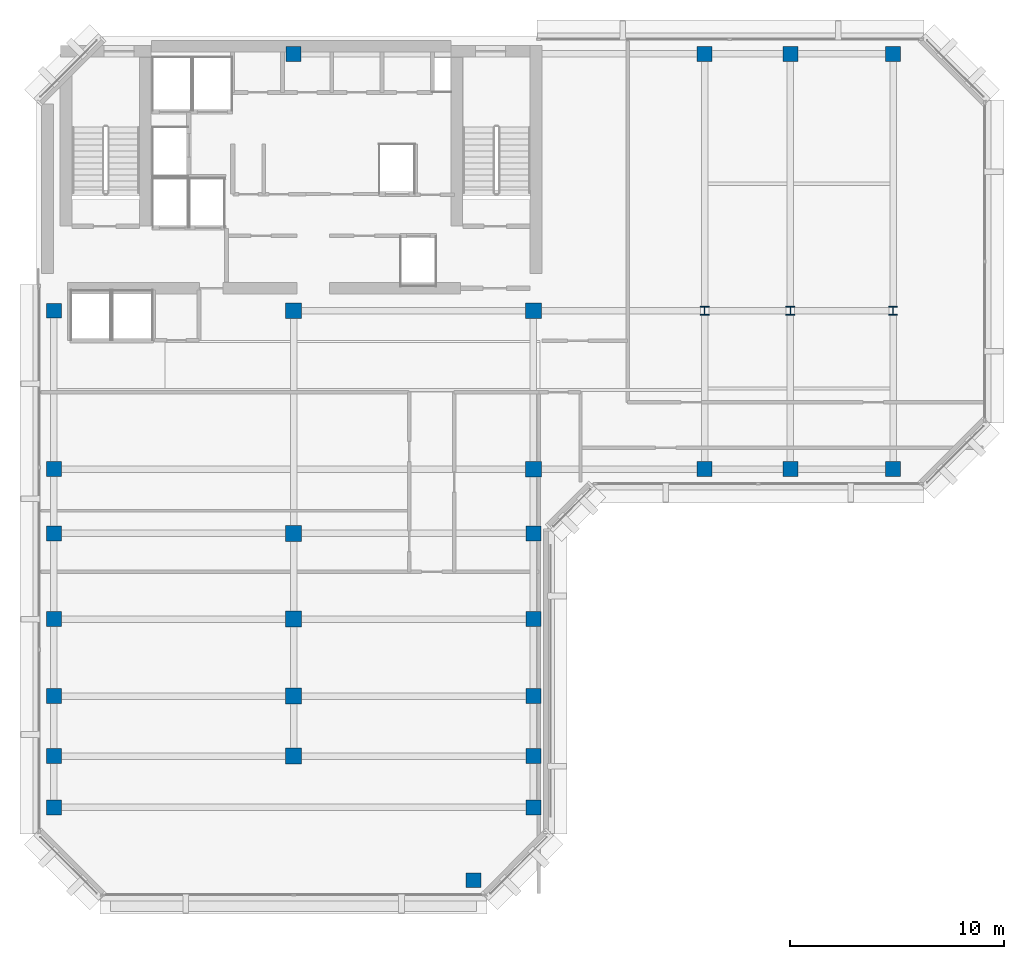
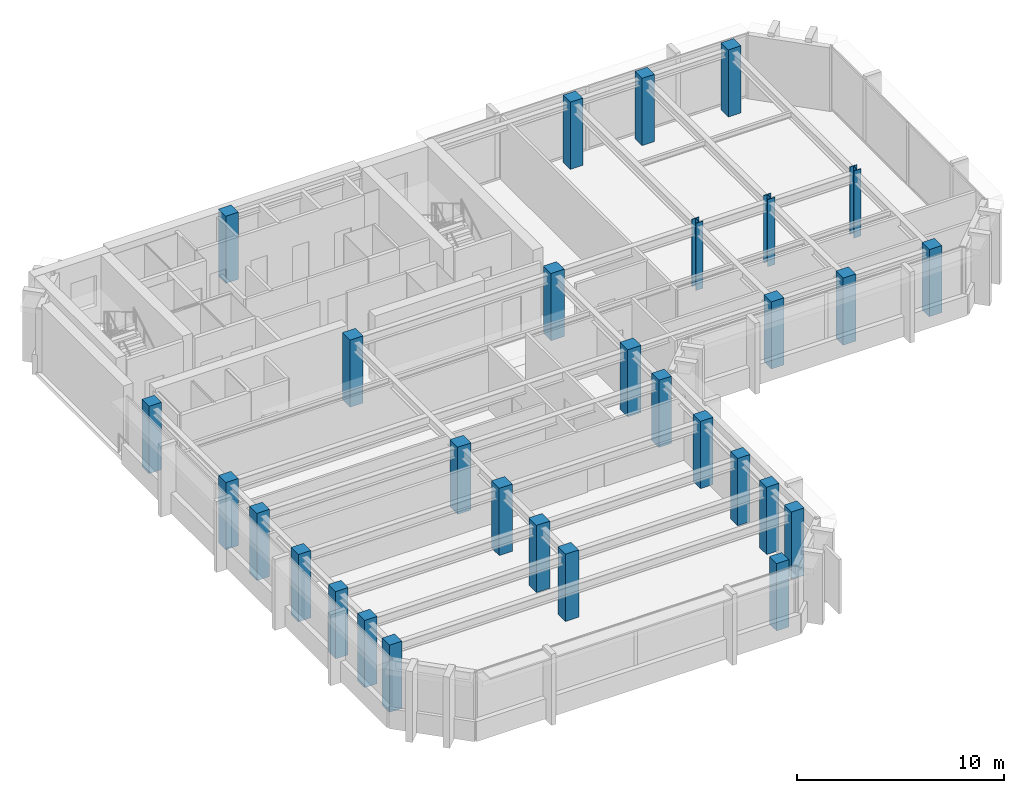
# One storey, part 1 of 11: 30 columns.
"""IFC4 building model written with IfcOpenShell, lengths in metres."""

from ifc_helpers import new_model, si_unit, direction, frame, origin, origin_2d, place, context, subcontext, project, spatial, rectangle, i_section, extrude, material, material_profile, profile_set, type_object, element, save


model = new_model("IFC4")

# Units and contexts
model_context = context("Model", 3, precision=1e-05, world=origin(), true_north=direction((0.0, 1.0)))
body_context = subcontext(model_context, "Body", "Model", "MODEL_VIEW")
ifc_project = project(units=[si_unit("LENGTHUNIT", "METRE"), si_unit("AREAUNIT", "SQUARE_METRE"), si_unit("VOLUMEUNIT", "CUBIC_METRE"), si_unit("PLANEANGLEUNIT", "RADIAN"), si_unit("MASSUNIT", "GRAM", prefix="KILO")], contexts=[model_context])

# Site, building, storey
site_placement = place(None, origin())
site = spatial("IfcSite", under=ifc_project, at=site_placement, CompositionType="ELEMENT")
building_placement = place(site_placement, origin())
building = spatial("IfcBuilding", under=site, at=building_placement, Name="Kefirva Bronze Tower", CompositionType="ELEMENT")
storey_placement = place(building_placement, frame((0.0, 0.0, 319.77001953125)))
storey = spatial("IfcBuildingStorey", under=building, at=storey_placement, Name="L78", CompositionType="ELEMENT", Elevation=319.77001953125)

# Columns
ifc_material_1 = material(Name="Concrete C50/60", Category="concrete")
ifc_material_profile_1 = material_profile(ifc_material_1, rectangle(XDim=0.699951171875, YDim=0.699951171875, at=origin_2d()), Name="RC 700x700")
ifc_profile_set_1 = profile_set([ifc_material_profile_1], Name="Concrete C50/60")
column_type_1 = type_object("IfcColumnType", Name="RC Column 700x700 Ext", PredefinedType="COLUMN", material=ifc_profile_set_1)
for number, where, z_axis, x_axis, name in (
    (1, (0.800048828125, 10.0, 0.0), (0.0, 0.0, 1.0), (1.0, 0.0, 0.0), "L78 Column C008_100"),
    (2, (0.800048828125, 12.39990234375, 0.0), (0.0, 0.0, 1.0), (1.0, 0.0, 0.0), "L78 Column C008_124"),
    (3, (0.800048828125, 15.199951171875, 0.0), (0.0, 0.0, 1.0), (1.0, 0.0, 0.0), "L78 Column C008_152"),
    (4, (0.800048828125, 18.800048828125, 0.0), (0.0, 0.0, 1.0), (1.0, 0.0, 0.0), "L78 Column C008_188"),
    (5, (0.800048828125, 22.800048828125, 0.0), (0.0, 0.0, 1.0), (1.0, 0.0, 0.0), "L78 Column C008_228"),
    (6, (0.800048828125, 25.800048828125, 0.0), (0.0, 0.0, 1.0), (1.0, 0.0, 0.0), "L78 Column C008_258"),
    (7, (0.800048828125, 33.199951171875, 0.0), (0.0, 0.0, 1.0), (1.0, 0.0, 0.0), "L78 Column C008_332"),
    (8, (12.0, 45.199951171875, 0.0), (0.0, 0.0, 1.0), (1.0, 0.0, 0.0), "L78 Column C120_452"),
    (9, (20.39990234375, 6.60009765625, 0.0), (0.0, 0.0, 1.0), (1.0, 0.0, 0.0), "L78 Column C204_066"),
    (10, (23.199951171875, 10.0, 0.0), (0.0, 0.0, 1.0), (1.0, 0.0, 0.0), "L78 Column C232_100"),
    (11, (23.199951171875, 12.39990234375, 0.0), (0.0, 0.0, 1.0), (1.0, 0.0, 0.0), "L78 Column C232_124"),
    (12, (23.199951171875, 15.199951171875, 0.0), (0.0, 0.0, 1.0), (1.0, 0.0, 0.0), "L78 Column C232_152"),
    (13, (23.199951171875, 18.800048828125, 0.0), (0.0, 0.0, 1.0), (1.0, 0.0, 0.0), "L78 Column C232_188"),
    (14, (23.199951171875, 22.800048828125, 0.0), (0.0, 0.0, 1.0), (1.0, 0.0, 0.0), "L78 Column C232_228"),
    (15, (31.199951171875, 25.800048828125, 0.0), (0.0, 0.0, 1.0), (1.0, 0.0, 0.0), "L78 Column C312_258"),
    (16, (31.199951171875, 45.199951171875, 0.0), (0.0, 0.0, 1.0), (1.0, 0.0, 0.0), "L78 Column C312_452"),
    (17, (35.199951171875, 25.800048828125, 0.0), (0.0, 0.0, 1.0), (1.0, 0.0, 0.0), "L78 Column C352_258"),
    (18, (35.199951171875, 45.199951171875, 0.0), (0.0, 0.0, 1.0), (1.0, 0.0, 0.0), "L78 Column C352_452"),
    (19, (40.0, 25.800048828125, 0.0), (0.0, 0.0, 1.0), (1.0, 0.0, 0.0), "L78 Column C400_258"),
    (20, (40.0, 45.199951171875, 0.0), (0.0, 0.0, 1.0), (1.0, 0.0, 0.0), "L78 Column C400_452"),
):
    element("IfcColumn", number, at=place(storey_placement, frame(where, z_axis=z_axis, x_axis=x_axis)), inside=storey, type_object=column_type_1, Name=name, PredefinedType="COLUMN", context=body_context, shape_type="SweptSolid", body=[
        extrude(rectangle(XDim=0.699951171875, YDim=0.699951171875, at=origin_2d()), origin(), (0.0, 0.0, 1.0), 3.9599609375),
    ])
ifc_material_profile_2 = material_profile(ifc_material_1, rectangle(XDim=0.739990234375, YDim=0.739990234375, at=origin_2d()), Name="RC 740x740")
ifc_profile_set_2 = profile_set([ifc_material_profile_2], Name="Concrete C50/60")
column_type_2 = type_object("IfcColumnType", Name="RC Column 740x740 Int", PredefinedType="COLUMN", material=ifc_profile_set_2)
for number, where, z_axis, x_axis, name in (
    (21, (12.0, 12.39990234375, 0.0), (0.0, 0.0, 1.0), (1.0, 0.0, 0.0), "L78 Column C120_124"),
    (22, (12.0, 15.199951171875, 0.0), (0.0, 0.0, 1.0), (1.0, 0.0, 0.0), "L78 Column C120_152"),
    (23, (12.0, 18.800048828125, 0.0), (0.0, 0.0, 1.0), (1.0, 0.0, 0.0), "L78 Column C120_188"),
    (24, (12.0, 22.800048828125, 0.0), (0.0, 0.0, 1.0), (1.0, 0.0, 0.0), "L78 Column C120_228"),
    (25, (12.0, 33.199951171875, 0.0), (0.0, 0.0, 1.0), (1.0, 0.0, 0.0), "L78 Column C120_332"),
    (26, (23.199951171875, 25.800048828125, 0.0), (0.0, 0.0, 1.0), (1.0, 0.0, 0.0), "L78 Column C232_258"),
    (27, (23.199951171875, 33.199951171875, 0.0), (0.0, 0.0, 1.0), (1.0, 0.0, 0.0), "L78 Column C232_332"),
):
    element("IfcColumn", number, at=place(storey_placement, frame(where, z_axis=z_axis, x_axis=x_axis)), inside=storey, type_object=column_type_2, Name=name, PredefinedType="COLUMN", context=body_context, shape_type="SweptSolid", body=[
        extrude(rectangle(XDim=0.739990234375, YDim=0.739990234375, at=origin_2d()), origin(), (0.0, 0.0, 1.0), 3.9599609375),
    ])
ifc_material_2 = material(Name="Steel S460", Category="steel")
ifc_material_profile_3 = material_profile(ifc_material_2, i_section(OverallWidth=0.406005859375, OverallDepth=0.416015625, WebThickness=0.02197265625, FlangeThickness=0.035888671875, at=origin_2d()), Name="HD 400x382")
ifc_profile_set_3 = profile_set([ifc_material_profile_3], Name="Steel S460")
column_type_3 = type_object("IfcColumnType", Name="Steel Column HD 400x382", PredefinedType="COLUMN", material=ifc_profile_set_3)
for number, where, z_axis, x_axis, name in (
    (28, (31.199951171875, 33.199951171875, 0.0), (0.0, 0.0, 1.0), (1.0, 0.0, 0.0), "L78 Column C312_332"),
    (29, (35.199951171875, 33.199951171875, 0.0), (0.0, 0.0, 1.0), (1.0, 0.0, 0.0), "L78 Column C352_332"),
    (30, (40.0, 33.199951171875, 0.0), (0.0, 0.0, 1.0), (1.0, 0.0, 0.0), "L78 Column C400_332"),
):
    element("IfcColumn", number, at=place(storey_placement, frame(where, z_axis=z_axis, x_axis=x_axis)), inside=storey, type_object=column_type_3, Name=name, PredefinedType="COLUMN", context=body_context, shape_type="SweptSolid", body=[
        extrude(i_section(OverallWidth=0.406005859375, OverallDepth=0.416015625, WebThickness=0.02197265625, FlangeThickness=0.035888671875, at=origin_2d()), origin(), (0.0, 0.0, 1.0), 3.9599609375),
    ])

save(model, "model.ifc")
